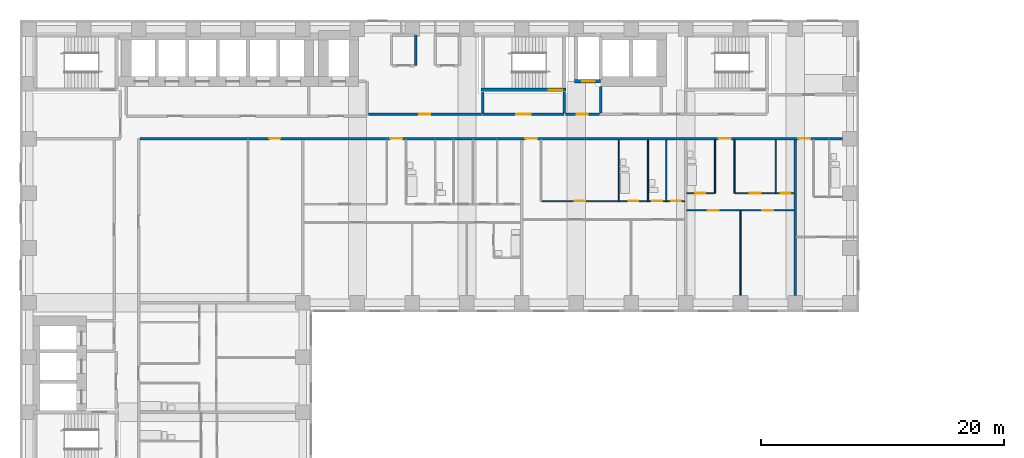
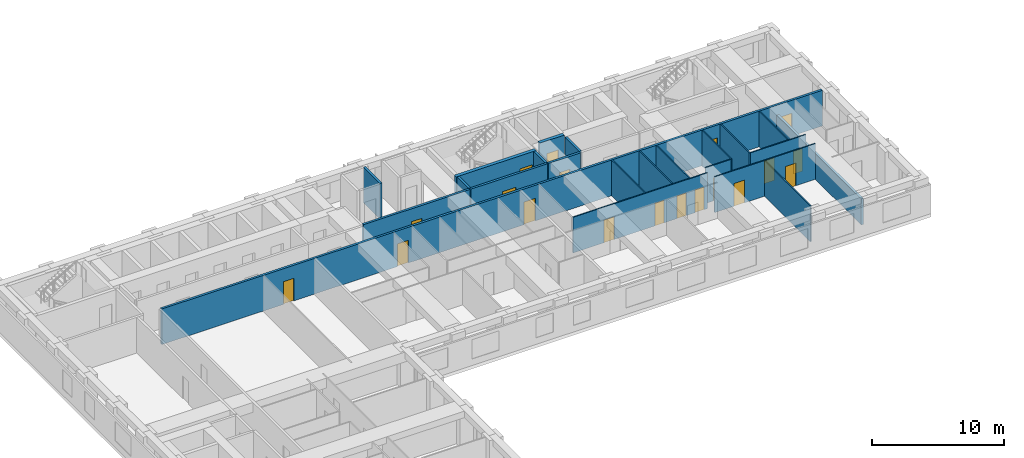
# One storey, part 9 of 14: 22 walls, 19 doors, 19 openings.
"""IFC4 building model written with IfcOpenShell, lengths in metres."""

from ifc_helpers import new_model, si_unit, direction, frame, frame_2d, origin, place, context, subcontext, project, spatial, rectangle, extrude, material, layer, layer_set, type_object, element, fill, save


model = new_model("IFC4")

# Units and contexts
model_context = context("Model", 3, precision=1e-05, world=origin(), true_north=direction((0.0, 1.0)))
body_context = subcontext(model_context, "Body", "Model", "MODEL_VIEW")
ifc_project = project(units=[si_unit("LENGTHUNIT", "METRE"), si_unit("AREAUNIT", "SQUARE_METRE"), si_unit("VOLUMEUNIT", "CUBIC_METRE"), si_unit("PLANEANGLEUNIT", "RADIAN"), si_unit("MASSUNIT", "GRAM", prefix="KILO")], contexts=[model_context])

# Site, building, storey
site_placement = place(None, origin())
site = spatial("IfcSite", under=ifc_project, at=site_placement, CompositionType="ELEMENT")
building_placement = place(site_placement, origin())
building = spatial("IfcBuilding", under=site, at=building_placement, Name="Firuza Court", CompositionType="ELEMENT")
storey_placement = place(building_placement, frame((0.0, 0.0, 32.60009765625)))
storey = spatial("IfcBuildingStorey", under=building, at=storey_placement, Name="L06", CompositionType="ELEMENT", Elevation=32.60009765625)

# Walls
ifc_material_1 = material(Name="Moisture-resistant gypsum board partition")
ifc_layer_1 = layer(ifc_material_1, 0.10009765625)
ifc_layer_set_1 = layer_set([ifc_layer_1], Name="Moisture-resistant gypsum board partition")
wall_type_1 = type_object("IfcWallType", Name="Bathroom partition 100", PredefinedType="PLUMBINGWALL", material=ifc_layer_set_1)
for number, where, z_axis, x_axis, name in (
    (1, (48.5, 44.39990234375, 0.0), (0.0, 0.0, 1.0), (0.0, 1.0, 0.0), "Bathroom partition 100 L06"),
    (2, (50.89990234375, 44.39990234375, 0.0), (0.0, 0.0, 1.0), (0.0, 1.0, 0.0), "Bathroom partition 100 L06"),
    (3, (52.39990234375, 44.39990234375, 0.0), (0.0, 0.0, 1.0), (0.0, 1.0, 0.0), "Bathroom partition 100 L06"),
):
    element("IfcWall", number, at=place(storey_placement, frame(where, z_axis=z_axis, x_axis=x_axis)), inside=storey, type_object=wall_type_1, Name=name, PredefinedType="PLUMBINGWALL", context=body_context, shape_type="SweptSolid", body=[
        extrude(rectangle(XDim=5.0, YDim=0.10009765625, at=frame_2d((2.5, 0.0))), origin(), (0.0, 0.0, 1.0), 3.2998046875),
    ])
wall_1_placement = place(storey_placement, frame((56.39990234375, 45.0, 0.0), z_axis=(0.0, 0.0, 1.0), x_axis=(0.0, 1.0, 0.0)))
element("IfcWall", 4, at=wall_1_placement, inside=storey, type_object=wall_type_1, Name="Bathroom partition 100 L06", PredefinedType="PLUMBINGWALL", context=body_context, shape_type="SweptSolid", body=[
    extrude(rectangle(XDim=4.39990234375, YDim=0.10009765625, at=frame_2d((2.199951171875, 0.0))), origin(), (0.0, 0.0, 1.0), 3.2998046875),
])

# Wall, opening, door
ifc_material_2 = material(Name="Concrete C60/75", Category="concrete")
ifc_layer_2 = layer(ifc_material_2, 0.300048828125)
ifc_layer_set_2 = layer_set([ifc_layer_2], Name="Concrete C60/75")
wall_type_2 = type_object("IfcWallType", Name="Core wall 300 C60/75", PredefinedType="SHEAR", material=ifc_layer_set_2)
wall_2_placement = place(storey_placement, frame((37.14990234375, 53.5, -0.300048828125), z_axis=(0.0, 0.0, 1.0), x_axis=(1.0, 0.0, 0.0)))
wall_2 = element("IfcWall", 5, at=wall_2_placement, inside=storey, type_object=wall_type_2, Name="Core wall stair L06", PredefinedType="SHEAR", context=body_context, shape_type="SweptSolid", body=[
    extrude(rectangle(XDim=7.0, YDim=0.300048828125, at=frame_2d((3.5, 0.0))), origin(), (0.0, 0.0, 1.0), 3.599853515625),
])
opening_1_placement = place(wall_2_placement, frame((5.580078125, 0.0, 0.300048828125)))
opening_1 = element("IfcOpeningElement", 6, at=opening_1_placement, cuts=wall_2, Name="Opening D06013", PredefinedType="OPENING", context=body_context, shape_type="SweptSolid", body=[
    extrude(rectangle(XDim=1.10009765625, YDim=2.10009765625, at=frame_2d((0.550048828125, 1.050048828125))), frame((0.0, 0.162109375, 0.0), z_axis=(0.0, -1.0, 0.0), x_axis=(1.0, 0.0, 0.0)), (0.0, 0.0, 1.0), 0.323974609375),
])
ifc_material_3 = material(Name="Timber door leaf in hardwood frame", Category="wood")
door_type_1 = type_object("IfcDoorType", Name="Stair door 1100", OperationType="SINGLE_SWING_LEFT", PredefinedType="DOOR", material=ifc_material_3)
door_1_placement = place(opening_1_placement, origin())
door_1 = element("IfcDoor", 7, at=door_1_placement, inside=storey, type_object=door_type_1, Name="Stair door S1", OperationType="SINGLE_SWING_RIGHT", OverallHeight=2.10009765625, OverallWidth=1.10009765625, PredefinedType="DOOR", context=body_context, shape_type="SweptSolid", body=[
    extrude(rectangle(XDim=1.10009765625, YDim=2.10009765625, at=frame_2d((0.550048828125, 1.050048828125))), frame((0.0, 0.02490234375, 0.0), z_axis=(0.0, -1.0, 0.0), x_axis=(1.0, 0.0, 0.0)), (0.0, 0.0, 1.0), 0.050048828125),
])
fill(opening_1, door_1)

wall_3_placement = place(storey_placement, frame((44.85009765625, 54.199951171875, -0.300048828125), z_axis=(0.0, 0.0, 1.0), x_axis=(1.0, 0.0, 0.0)))
wall_3 = element("IfcWall", 8, at=wall_3_placement, inside=storey, type_object=wall_type_2, Name="Core wall riser L06", PredefinedType="SHEAR", context=body_context, shape_type="SweptSolid", body=[
    extrude(rectangle(XDim=2.14990234375, YDim=0.300048828125, at=frame_2d((1.074951171875, 0.0))), origin(), (0.0, 0.0, 1.0), 3.599853515625),
])
opening_2_placement = place(wall_3_placement, frame((0.64990234375, 0.0, 0.300048828125)))
opening_2 = element("IfcOpeningElement", 9, at=opening_2_placement, cuts=wall_3, Name="Opening D06011", PredefinedType="OPENING", context=body_context, shape_type="SweptSolid", body=[
    extrude(rectangle(XDim=1.0, YDim=2.10009765625, at=frame_2d((0.5, 1.050048828125))), frame((0.0, 0.162109375, 0.0), z_axis=(0.0, -1.0, 0.0), x_axis=(1.0, 0.0, 0.0)), (0.0, 0.0, 1.0), 0.323974609375),
])
ifc_material_4 = material(Name="Timber door leaf in hardwood frame", Category="wood")
door_type_2 = type_object("IfcDoorType", Name="Riser door 1000", OperationType="SINGLE_SWING_LEFT", PredefinedType="DOOR", material=ifc_material_4)
door_2_placement = place(opening_2_placement, origin())
door_2 = element("IfcDoor", 10, at=door_2_placement, inside=storey, type_object=door_type_2, Name="Riser door R3", OperationType="SINGLE_SWING_LEFT", OverallHeight=2.10009765625, OverallWidth=1.0, PredefinedType="DOOR", context=body_context, shape_type="SweptSolid", body=[
    extrude(rectangle(XDim=1.0, YDim=2.10009765625, at=frame_2d((0.5, 1.050048828125))), frame((0.0, 0.02490234375, 0.0), z_axis=(0.0, -1.0, 0.0), x_axis=(1.0, 0.0, 0.0)), (0.0, 0.0, 1.0), 0.050048828125),
])
fill(opening_2, door_2)

# Wall, openings, doors
ifc_material_5 = material(Name="Blockwork, plastered both sides", Category="masonry")
ifc_layer_3 = layer(ifc_material_5, 0.199951171875)
ifc_layer_set_3 = layer_set([ifc_layer_3], Name="Blockwork, plastered both sides")
wall_type_3 = type_object("IfcWallType", Name="Corridor wall 200", PredefinedType="PARTITIONING", material=ifc_layer_set_3)
wall_4_placement = place(storey_placement, frame((9.10009765625, 49.5, 0.0), z_axis=(0.0, 0.0, 1.0), x_axis=(1.0, 0.0, 0.0)))
wall_4 = element("IfcWall", 11, at=wall_4_placement, inside=storey, type_object=wall_type_3, Name="Corridor wall 200 L06", PredefinedType="PARTITIONING", context=body_context, shape_type="SweptSolid", body=[
    extrude(rectangle(XDim=57.7998046875, YDim=0.199951171875, at=frame_2d((28.89990234375, 0.0))), origin(), (0.0, 0.0, 1.0), 3.2998046875),
])
opening_3_placement = place(wall_4_placement, frame((20.60009765625, 0.0, 0.0)))
opening_3 = element("IfcOpeningElement", 12, at=opening_3_placement, cuts=wall_4, Name="Opening D06066", PredefinedType="OPENING", context=body_context, shape_type="SweptSolid", body=[
    extrude(rectangle(XDim=1.0, YDim=2.10009765625, at=frame_2d((0.5, 1.050048828125))), frame((0.0, 0.11181640625, 0.0), z_axis=(0.0, -1.0, 0.0), x_axis=(1.0, 0.0, 0.0)), (0.0, 0.0, 1.0), 0.223876953125),
])
opening_4_placement = place(wall_4_placement, frame((31.699951171875, 0.0, 0.0)))
opening_4 = element("IfcOpeningElement", 13, at=opening_4_placement, cuts=wall_4, Name="Opening D06067", PredefinedType="OPENING", context=body_context, shape_type="SweptSolid", body=[
    extrude(rectangle(XDim=1.0, YDim=2.10009765625, at=frame_2d((0.5, 1.050048828125))), frame((0.0, 0.11181640625, 0.0), z_axis=(0.0, -1.0, 0.0), x_axis=(1.0, 0.0, 0.0)), (0.0, 0.0, 1.0), 0.223876953125),
])
opening_5_placement = place(wall_4_placement, frame((47.60009765625, 0.0, 0.0)))
opening_5 = element("IfcOpeningElement", 14, at=opening_5_placement, cuts=wall_4, Name="Opening D06068", PredefinedType="OPENING", context=body_context, shape_type="SweptSolid", body=[
    extrude(rectangle(XDim=1.0, YDim=2.10009765625, at=frame_2d((0.5, 1.050048828125))), frame((0.0, 0.11181640625, 0.0), z_axis=(0.0, -1.0, 0.0), x_axis=(1.0, 0.0, 0.0)), (0.0, 0.0, 1.0), 0.223876953125),
])
opening_6_placement = place(wall_4_placement, frame((54.14990234375, 0.0, 0.0)))
opening_6 = element("IfcOpeningElement", 15, at=opening_6_placement, cuts=wall_4, Name="Opening D06069", PredefinedType="OPENING", context=body_context, shape_type="SweptSolid", body=[
    extrude(rectangle(XDim=1.0, YDim=2.10009765625, at=frame_2d((0.5, 1.050048828125))), frame((0.0, 0.11181640625, 0.0), z_axis=(0.0, -1.0, 0.0), x_axis=(1.0, 0.0, 0.0)), (0.0, 0.0, 1.0), 0.223876953125),
])
opening_7_placement = place(wall_4_placement, frame((10.64990234375, 0.0, 0.0)))
opening_7 = element("IfcOpeningElement", 16, at=opening_7_placement, cuts=wall_4, Name="Opening D06070", PredefinedType="OPENING", context=body_context, shape_type="SweptSolid", body=[
    extrude(rectangle(XDim=0.89990234375, YDim=2.10009765625, at=frame_2d((0.449951171875, 1.050048828125))), frame((0.0, 0.11181640625, 0.0), z_axis=(0.0, -1.0, 0.0), x_axis=(1.0, 0.0, 0.0)), (0.0, 0.0, 1.0), 0.223876953125),
])
ifc_material_6 = material(Name="Timber door leaf in hardwood frame", Category="wood")
door_type_3 = type_object("IfcDoorType", Name="Flat entrance door 1000", OperationType="SINGLE_SWING_LEFT", PredefinedType="DOOR", material=ifc_material_6)
door_3_placement = place(opening_3_placement, origin())
door_3 = element("IfcDoor", 17, at=door_3_placement, inside=storey, type_object=door_type_3, Name="Flat entrance door", OperationType="SINGLE_SWING_LEFT", OverallHeight=2.10009765625, OverallWidth=1.0, PredefinedType="DOOR", context=body_context, shape_type="SweptSolid", body=[
    extrude(rectangle(XDim=1.0, YDim=2.10009765625, at=frame_2d((0.5, 1.050048828125))), frame((0.0, 0.02490234375, 0.0), z_axis=(0.0, -1.0, 0.0), x_axis=(1.0, 0.0, 0.0)), (0.0, 0.0, 1.0), 0.050048828125),
])
fill(opening_3, door_3)
door_4_placement = place(opening_4_placement, origin())
door_4 = element("IfcDoor", 18, at=door_4_placement, inside=storey, type_object=door_type_3, Name="Flat entrance door", OperationType="SINGLE_SWING_LEFT", OverallHeight=2.10009765625, OverallWidth=1.0, PredefinedType="DOOR", context=body_context, shape_type="SweptSolid", body=[
    extrude(rectangle(XDim=1.0, YDim=2.10009765625, at=frame_2d((0.5, 1.050048828125))), frame((0.0, 0.02490234375, 0.0), z_axis=(0.0, -1.0, 0.0), x_axis=(1.0, 0.0, 0.0)), (0.0, 0.0, 1.0), 0.050048828125),
])
fill(opening_4, door_4)
door_5_placement = place(opening_5_placement, origin())
door_5 = element("IfcDoor", 19, at=door_5_placement, inside=storey, type_object=door_type_3, Name="Flat entrance door", OperationType="SINGLE_SWING_LEFT", OverallHeight=2.10009765625, OverallWidth=1.0, PredefinedType="DOOR", context=body_context, shape_type="SweptSolid", body=[
    extrude(rectangle(XDim=1.0, YDim=2.10009765625, at=frame_2d((0.5, 1.050048828125))), frame((0.0, 0.02490234375, 0.0), z_axis=(0.0, -1.0, 0.0), x_axis=(1.0, 0.0, 0.0)), (0.0, 0.0, 1.0), 0.050048828125),
])
fill(opening_5, door_5)
door_6_placement = place(opening_6_placement, origin())
door_6 = element("IfcDoor", 20, at=door_6_placement, inside=storey, type_object=door_type_3, Name="Flat entrance door", OperationType="SINGLE_SWING_RIGHT", OverallHeight=2.10009765625, OverallWidth=1.0, PredefinedType="DOOR", context=body_context, shape_type="SweptSolid", body=[
    extrude(rectangle(XDim=1.0, YDim=2.10009765625, at=frame_2d((0.5, 1.050048828125))), frame((0.0, 0.02490234375, 0.0), z_axis=(0.0, -1.0, 0.0), x_axis=(1.0, 0.0, 0.0)), (0.0, 0.0, 1.0), 0.050048828125),
])
fill(opening_6, door_6)
ifc_material_7 = material(Name="Timber door leaf in hardwood frame", Category="wood")
door_type_4 = type_object("IfcDoorType", Name="Room door 900 EI 30", OperationType="SINGLE_SWING_LEFT", PredefinedType="DOOR", material=ifc_material_7)
door_7_placement = place(opening_7_placement, frame((0.89990234375, 0.0, 0.0), z_axis=(0.0, 0.0, 1.0), x_axis=(-1.0, 0.0, 0.0)))
door_7 = element("IfcDoor", 21, at=door_7_placement, inside=storey, type_object=door_type_4, Name="Library door", OperationType="SINGLE_SWING_RIGHT", OverallHeight=2.10009765625, OverallWidth=0.89990234375, PredefinedType="DOOR", context=body_context, shape_type="SweptSolid", body=[
    extrude(rectangle(XDim=0.89990234375, YDim=2.10009765625, at=frame_2d((0.449951171875, 1.050048828125))), frame((0.0, 0.02490234375, 0.0), z_axis=(0.0, -1.0, 0.0), x_axis=(1.0, 0.0, 0.0)), (0.0, 0.0, 1.0), 0.050048828125),
])
fill(opening_7, door_7)

# Wall, opening, door
wall_5_placement = place(storey_placement, frame((27.89990234375, 51.5, 0.0), z_axis=(0.0, 0.0, 1.0), x_axis=(1.0, 0.0, 0.0)))
wall_5 = element("IfcWall", 22, at=wall_5_placement, inside=storey, type_object=wall_type_3, Name="Corridor wall 200 L06", PredefinedType="PARTITIONING", context=body_context, shape_type="SweptSolid", body=[
    extrude(rectangle(XDim=9.300048828125, YDim=0.199951171875, at=frame_2d((4.64990234375, 0.0))), origin(), (0.0, 0.0, 1.0), 3.2998046875),
])
opening_8_placement = place(wall_5_placement, frame((4.199951171875, 0.0, 0.0)))
opening_8 = element("IfcOpeningElement", 23, at=opening_8_placement, cuts=wall_5, Name="Opening D06071", PredefinedType="OPENING", context=body_context, shape_type="SweptSolid", body=[
    extrude(rectangle(XDim=0.89990234375, YDim=2.10009765625, at=frame_2d((0.449951171875, 1.050048828125))), frame((0.0, 0.11181640625, 0.0), z_axis=(0.0, -1.0, 0.0), x_axis=(1.0, 0.0, 0.0)), (0.0, 0.0, 1.0), 0.223876953125),
])
door_8_placement = place(opening_8_placement, origin())
door_8 = element("IfcDoor", 24, at=door_8_placement, inside=storey, type_object=door_type_4, Name="Meeting room door", OperationType="SINGLE_SWING_LEFT", OverallHeight=2.10009765625, OverallWidth=0.89990234375, PredefinedType="DOOR", context=body_context, shape_type="SweptSolid", body=[
    extrude(rectangle(XDim=0.89990234375, YDim=2.10009765625, at=frame_2d((0.449951171875, 1.050048828125))), frame((0.0, 0.02490234375, 0.0), z_axis=(0.0, -1.0, 0.0), x_axis=(1.0, 0.0, 0.0)), (0.0, 0.0, 1.0), 0.050048828125),
])
fill(opening_8, door_8)

wall_6_placement = place(storey_placement, frame((44.10009765625, 51.5, 0.0), z_axis=(0.0, 0.0, 1.0), x_axis=(1.0, 0.0, 0.0)))
wall_6 = element("IfcWall", 25, at=wall_6_placement, inside=storey, type_object=wall_type_3, Name="Corridor wall 200 L06", PredefinedType="PARTITIONING", context=body_context, shape_type="SweptSolid", body=[
    extrude(rectangle(XDim=2.7998046875, YDim=0.199951171875, at=frame_2d((1.39990234375, 0.0))), origin(), (0.0, 0.0, 1.0), 3.2998046875),
])
opening_9_placement = place(wall_6_placement, frame((0.949951171875, 0.0, 0.0)))
opening_9 = element("IfcOpeningElement", 26, at=opening_9_placement, cuts=wall_6, Name="Opening D06072", PredefinedType="OPENING", context=body_context, shape_type="SweptSolid", body=[
    extrude(rectangle(XDim=0.89990234375, YDim=2.10009765625, at=frame_2d((0.449951171875, 1.050048828125))), frame((0.0, 0.11181640625, 0.0), z_axis=(0.0, -1.0, 0.0), x_axis=(1.0, 0.0, 0.0)), (0.0, 0.0, 1.0), 0.223876953125),
])
door_9_placement = place(opening_9_placement, origin())
door_9 = element("IfcDoor", 27, at=door_9_placement, inside=storey, type_object=door_type_4, Name="Staff pantry door", OperationType="SINGLE_SWING_LEFT", OverallHeight=2.10009765625, OverallWidth=0.89990234375, PredefinedType="DOOR", context=body_context, shape_type="SweptSolid", body=[
    extrude(rectangle(XDim=0.89990234375, YDim=2.10009765625, at=frame_2d((0.449951171875, 1.050048828125))), frame((0.0, 0.02490234375, 0.0), z_axis=(0.0, -1.0, 0.0), x_axis=(1.0, 0.0, 0.0)), (0.0, 0.0, 1.0), 0.050048828125),
])
fill(opening_9, door_9)

# Wall
ifc_material_8 = material(Name="Timber stud partition, plasterboard both sides", Category="wood")
ifc_layer_4 = layer(ifc_material_8, 0.10009765625)
ifc_layer_set_4 = layer_set([ifc_layer_4], Name="Timber stud partition, plasterboard both sides")
wall_type_4 = type_object("IfcWallType", Name="Partition wall 100", PredefinedType="PARTITIONING", material=ifc_layer_set_4)
wall_7_placement = place(storey_placement, frame((58.5, 36.60009765625, 0.0), z_axis=(0.0, 0.0, 1.0), x_axis=(0.0, 1.0, 0.0)))
element("IfcWall", 28, at=wall_7_placement, inside=storey, type_object=wall_type_4, Name="Partition wall 100 L06", PredefinedType="PARTITIONING", context=body_context, shape_type="SweptSolid", body=[
    extrude(rectangle(XDim=6.949951171875, YDim=0.10009765625, at=frame_2d((3.47509765625, 0.0))), origin(), (0.0, 0.0, 1.0), 3.2998046875),
])

# Wall, openings, doors
wall_8_placement = place(storey_placement, frame((54.10009765625, 43.60009765625, 0.0), z_axis=(0.0, 0.0, 1.0), x_axis=(1.0, 0.0, 0.0)))
wall_8 = element("IfcWall", 29, at=wall_8_placement, inside=storey, type_object=wall_type_4, Name="Partition wall 100 L06", PredefinedType="PARTITIONING", context=body_context, shape_type="SweptSolid", body=[
    extrude(rectangle(XDim=8.7998046875, YDim=0.10009765625, at=frame_2d((4.39990234375, 0.0))), origin(), (0.0, 0.0, 1.0), 3.2998046875),
])
opening_10_placement = place(wall_8_placement, frame((1.699951171875, 0.0, 0.0)))
opening_10 = element("IfcOpeningElement", 30, at=opening_10_placement, cuts=wall_8, Name="Opening D06049", PredefinedType="OPENING", context=body_context, shape_type="SweptSolid", body=[
    extrude(rectangle(XDim=0.89990234375, YDim=2.10009765625, at=frame_2d((0.449951171875, 1.050048828125))), frame((0.0, 0.06201171875, 0.0), z_axis=(0.0, -1.0, 0.0), x_axis=(1.0, 0.0, 0.0)), (0.0, 0.0, 1.0), 0.1240234375),
])
opening_11_placement = place(wall_8_placement, frame((6.199951171875, 0.0, 0.0)))
opening_11 = element("IfcOpeningElement", 31, at=opening_11_placement, cuts=wall_8, Name="Opening D06050", PredefinedType="OPENING", context=body_context, shape_type="SweptSolid", body=[
    extrude(rectangle(XDim=0.89990234375, YDim=2.10009765625, at=frame_2d((0.449951171875, 1.050048828125))), frame((0.0, 0.06201171875, 0.0), z_axis=(0.0, -1.0, 0.0), x_axis=(1.0, 0.0, 0.0)), (0.0, 0.0, 1.0), 0.1240234375),
])
ifc_material_9 = material(Name="Timber door leaf in hardwood frame", Category="wood")
door_type_5 = type_object("IfcDoorType", Name="Room door 900", OperationType="SINGLE_SWING_LEFT", PredefinedType="DOOR", material=ifc_material_9)
door_10_placement = place(opening_10_placement, frame((0.89990234375, 0.0, 0.0), z_axis=(0.0, 0.0, 1.0), x_axis=(-1.0, 0.0, 0.0)))
door_10 = element("IfcDoor", 32, at=door_10_placement, inside=storey, type_object=door_type_5, Name="Bedroom door", OperationType="SINGLE_SWING_RIGHT", OverallHeight=2.10009765625, OverallWidth=0.89990234375, PredefinedType="DOOR", context=body_context, shape_type="SweptSolid", body=[
    extrude(rectangle(XDim=0.89990234375, YDim=2.10009765625, at=frame_2d((0.449951171875, 1.050048828125))), frame((0.0, 0.02490234375, 0.0), z_axis=(0.0, -1.0, 0.0), x_axis=(1.0, 0.0, 0.0)), (0.0, 0.0, 1.0), 0.050048828125),
])
fill(opening_10, door_10)
door_11_placement = place(opening_11_placement, frame((0.89990234375, 0.0, 0.0), z_axis=(0.0, 0.0, 1.0), x_axis=(-1.0, 0.0, 0.0)))
door_11 = element("IfcDoor", 33, at=door_11_placement, inside=storey, type_object=door_type_5, Name="Living room door", OperationType="SINGLE_SWING_RIGHT", OverallHeight=2.10009765625, OverallWidth=0.89990234375, PredefinedType="DOOR", context=body_context, shape_type="SweptSolid", body=[
    extrude(rectangle(XDim=0.89990234375, YDim=2.10009765625, at=frame_2d((0.449951171875, 1.050048828125))), frame((0.0, 0.02490234375, 0.0), z_axis=(0.0, -1.0, 0.0), x_axis=(1.0, 0.0, 0.0)), (0.0, 0.0, 1.0), 0.050048828125),
])
fill(opening_11, door_11)

wall_9_placement = place(storey_placement, frame((42.14990234375, 44.35009765625, 0.0), z_axis=(0.0, 0.0, 1.0), x_axis=(1.0, 0.0, 0.0)))
wall_9 = element("IfcWall", 34, at=wall_9_placement, inside=storey, type_object=wall_type_4, Name="Partition wall 100 L06", PredefinedType="PARTITIONING", context=body_context, shape_type="SweptSolid", body=[
    extrude(rectangle(XDim=11.75, YDim=0.10009765625, at=frame_2d((5.875, 0.0))), origin(), (0.0, 0.0, 1.0), 3.2998046875),
])
opening_12_placement = place(wall_9_placement, frame((7.14990234375, 0.0, 0.0)))
opening_12 = element("IfcOpeningElement", 35, at=opening_12_placement, cuts=wall_9, Name="Opening D06057", PredefinedType="OPENING", context=body_context, shape_type="SweptSolid", body=[
    extrude(rectangle(XDim=0.800048828125, YDim=2.10009765625, at=frame_2d((0.39990234375, 1.050048828125))), frame((0.0, 0.06201171875, 0.0), z_axis=(0.0, -1.0, 0.0), x_axis=(1.0, 0.0, 0.0)), (0.0, 0.0, 1.0), 0.1240234375),
])
opening_13_placement = place(wall_9_placement, frame((2.699951171875, 0.0, 0.0)))
opening_13 = element("IfcOpeningElement", 36, at=opening_13_placement, cuts=wall_9, Name="Opening D06058", PredefinedType="OPENING", context=body_context, shape_type="SweptSolid", body=[
    extrude(rectangle(XDim=0.89990234375, YDim=2.10009765625, at=frame_2d((0.449951171875, 1.050048828125))), frame((0.0, 0.06201171875, 0.0), z_axis=(0.0, -1.0, 0.0), x_axis=(1.0, 0.0, 0.0)), (0.0, 0.0, 1.0), 0.1240234375),
])
opening_14_placement = place(wall_9_placement, frame((10.64990234375, 0.0, 0.0)))
opening_14 = element("IfcOpeningElement", 37, at=opening_14_placement, cuts=wall_9, Name="Opening D06059", PredefinedType="OPENING", context=body_context, shape_type="SweptSolid", body=[
    extrude(rectangle(XDim=0.800048828125, YDim=2.10009765625, at=frame_2d((0.39990234375, 1.050048828125))), frame((0.0, 0.06201171875, 0.0), z_axis=(0.0, -1.0, 0.0), x_axis=(1.0, 0.0, 0.0)), (0.0, 0.0, 1.0), 0.1240234375),
])
opening_15_placement = place(wall_9_placement, frame((9.10009765625, 0.0, 0.0)))
opening_15 = element("IfcOpeningElement", 38, at=opening_15_placement, cuts=wall_9, Name="Opening D06060", PredefinedType="OPENING", context=body_context, shape_type="SweptSolid", body=[
    extrude(rectangle(XDim=0.800048828125, YDim=2.10009765625, at=frame_2d((0.39990234375, 1.050048828125))), frame((0.0, 0.06201171875, 0.0), z_axis=(0.0, -1.0, 0.0), x_axis=(1.0, 0.0, 0.0)), (0.0, 0.0, 1.0), 0.1240234375),
])
ifc_material_10 = material(Name="Timber door leaf in hardwood frame", Category="wood")
door_type_6 = type_object("IfcDoorType", Name="Bathroom door 800", OperationType="SINGLE_SWING_LEFT", PredefinedType="DOOR", material=ifc_material_10)
door_12_placement = place(opening_12_placement, origin())
door_12 = element("IfcDoor", 39, at=door_12_placement, inside=storey, type_object=door_type_6, Name="Bathroom door", OperationType="SINGLE_SWING_LEFT", OverallHeight=2.10009765625, OverallWidth=0.800048828125, PredefinedType="DOOR", context=body_context, shape_type="SweptSolid", body=[
    extrude(rectangle(XDim=0.800048828125, YDim=2.10009765625, at=frame_2d((0.39990234375, 1.050048828125))), frame((0.0, 0.02490234375, 0.0), z_axis=(0.0, -1.0, 0.0), x_axis=(1.0, 0.0, 0.0)), (0.0, 0.0, 1.0), 0.050048828125),
])
fill(opening_12, door_12)
door_13_placement = place(opening_15_placement, origin())
door_13 = element("IfcDoor", 40, at=door_13_placement, inside=storey, type_object=door_type_6, Name="Powder room door", OperationType="SINGLE_SWING_LEFT", OverallHeight=2.10009765625, OverallWidth=0.800048828125, PredefinedType="DOOR", context=body_context, shape_type="SweptSolid", body=[
    extrude(rectangle(XDim=0.800048828125, YDim=2.10009765625, at=frame_2d((0.39990234375, 1.050048828125))), frame((0.0, 0.02490234375, 0.0), z_axis=(0.0, -1.0, 0.0), x_axis=(1.0, 0.0, 0.0)), (0.0, 0.0, 1.0), 0.050048828125),
])
fill(opening_15, door_13)
ifc_material_11 = material(Name="Timber door leaf in hardwood frame", Category="wood")
door_type_7 = type_object("IfcDoorType", Name="Room door 800", OperationType="SINGLE_SWING_LEFT", PredefinedType="DOOR", material=ifc_material_11)
door_14_placement = place(opening_14_placement, origin())
door_14 = element("IfcDoor", 41, at=door_14_placement, inside=storey, type_object=door_type_7, Name="Store door", OperationType="SINGLE_SWING_LEFT", OverallHeight=2.10009765625, OverallWidth=0.800048828125, PredefinedType="DOOR", context=body_context, shape_type="SweptSolid", body=[
    extrude(rectangle(XDim=0.800048828125, YDim=2.10009765625, at=frame_2d((0.39990234375, 1.050048828125))), frame((0.0, 0.02490234375, 0.0), z_axis=(0.0, -1.0, 0.0), x_axis=(1.0, 0.0, 0.0)), (0.0, 0.0, 1.0), 0.050048828125),
])
fill(opening_14, door_14)
door_15_placement = place(opening_13_placement, origin())
door_15 = element("IfcDoor", 42, at=door_15_placement, inside=storey, type_object=door_type_5, Name="Kitchen door", OperationType="SINGLE_SWING_LEFT", OverallHeight=2.10009765625, OverallWidth=0.89990234375, PredefinedType="DOOR", context=body_context, shape_type="SweptSolid", body=[
    extrude(rectangle(XDim=0.89990234375, YDim=2.10009765625, at=frame_2d((0.449951171875, 1.050048828125))), frame((0.0, 0.02490234375, 0.0), z_axis=(0.0, -1.0, 0.0), x_axis=(1.0, 0.0, 0.0)), (0.0, 0.0, 1.0), 0.050048828125),
])
fill(opening_13, door_15)

# Wall, opening, door
wall_10_placement = place(storey_placement, frame((54.10009765625, 45.0, 0.0), z_axis=(0.0, 0.0, 1.0), x_axis=(1.0, 0.0, 0.0)))
wall_10 = element("IfcWall", 43, at=wall_10_placement, inside=storey, type_object=wall_type_4, Name="Partition wall 100 L06", PredefinedType="PARTITIONING", context=body_context, shape_type="SweptSolid", body=[
    extrude(rectangle(XDim=2.25, YDim=0.10009765625, at=frame_2d((1.125, 0.0))), origin(), (0.0, 0.0, 1.0), 3.2998046875),
])
opening_16_placement = place(wall_10_placement, frame((0.699951171875, 0.0, 0.0)))
opening_16 = element("IfcOpeningElement", 44, at=opening_16_placement, cuts=wall_10, Name="Opening D06063", PredefinedType="OPENING", context=body_context, shape_type="SweptSolid", body=[
    extrude(rectangle(XDim=0.800048828125, YDim=2.10009765625, at=frame_2d((0.39990234375, 1.050048828125))), frame((0.0, 0.06201171875, 0.0), z_axis=(0.0, -1.0, 0.0), x_axis=(1.0, 0.0, 0.0)), (0.0, 0.0, 1.0), 0.1240234375),
])
door_16_placement = place(opening_16_placement, origin())
door_16 = element("IfcDoor", 45, at=door_16_placement, inside=storey, type_object=door_type_6, Name="Bathroom door", OperationType="SINGLE_SWING_LEFT", OverallHeight=2.10009765625, OverallWidth=0.800048828125, PredefinedType="DOOR", context=body_context, shape_type="SweptSolid", body=[
    extrude(rectangle(XDim=0.800048828125, YDim=2.10009765625, at=frame_2d((0.39990234375, 1.050048828125))), frame((0.0, 0.02490234375, 0.0), z_axis=(0.0, -1.0, 0.0), x_axis=(1.0, 0.0, 0.0)), (0.0, 0.0, 1.0), 0.050048828125),
])
fill(opening_16, door_16)

# Wall
wall_11_placement = place(storey_placement, frame((58.0, 45.0, 0.0), z_axis=(0.0, 0.0, 1.0), x_axis=(0.0, 1.0, 0.0)))
element("IfcWall", 46, at=wall_11_placement, inside=storey, type_object=wall_type_4, Name="Partition wall 100 L06", PredefinedType="PARTITIONING", context=body_context, shape_type="SweptSolid", body=[
    extrude(rectangle(XDim=4.39990234375, YDim=0.10009765625, at=frame_2d((2.199951171875, 0.0))), origin(), (0.0, 0.0, 1.0), 3.2998046875),
])

# Wall, openings, doors
wall_12_placement = place(storey_placement, frame((58.050048828125, 45.0, 0.0), z_axis=(0.0, 0.0, 1.0), x_axis=(1.0, 0.0, 0.0)))
wall_12 = element("IfcWall", 47, at=wall_12_placement, inside=storey, type_object=wall_type_4, Name="Partition wall 100 L06", PredefinedType="PARTITIONING", context=body_context, shape_type="SweptSolid", body=[
    extrude(rectangle(XDim=4.849853515625, YDim=0.10009765625, at=frame_2d((2.4248046875, 0.0))), origin(), (0.0, 0.0, 1.0), 3.2998046875),
])
opening_17_placement = place(wall_12_placement, frame((1.199951171875, 0.0, 0.0)))
opening_17 = element("IfcOpeningElement", 48, at=opening_17_placement, cuts=wall_12, Name="Opening D06064", PredefinedType="OPENING", context=body_context, shape_type="SweptSolid", body=[
    extrude(rectangle(XDim=0.89990234375, YDim=2.10009765625, at=frame_2d((0.449951171875, 1.050048828125))), frame((0.0, 0.06201171875, 0.0), z_axis=(0.0, -1.0, 0.0), x_axis=(1.0, 0.0, 0.0)), (0.0, 0.0, 1.0), 0.1240234375),
])
opening_18_placement = place(wall_12_placement, frame((3.75, 0.0, 0.0)))
opening_18 = element("IfcOpeningElement", 49, at=opening_18_placement, cuts=wall_12, Name="Opening D06065", PredefinedType="OPENING", context=body_context, shape_type="SweptSolid", body=[
    extrude(rectangle(XDim=0.800048828125, YDim=2.10009765625, at=frame_2d((0.39990234375, 1.050048828125))), frame((0.0, 0.06201171875, 0.0), z_axis=(0.0, -1.0, 0.0), x_axis=(1.0, 0.0, 0.0)), (0.0, 0.0, 1.0), 0.1240234375),
])
door_17_placement = place(opening_18_placement, origin())
door_17 = element("IfcDoor", 50, at=door_17_placement, inside=storey, type_object=door_type_7, Name="Store door", OperationType="SINGLE_SWING_LEFT", OverallHeight=2.10009765625, OverallWidth=0.800048828125, PredefinedType="DOOR", context=body_context, shape_type="SweptSolid", body=[
    extrude(rectangle(XDim=0.800048828125, YDim=2.10009765625, at=frame_2d((0.39990234375, 1.050048828125))), frame((0.0, 0.02490234375, 0.0), z_axis=(0.0, -1.0, 0.0), x_axis=(1.0, 0.0, 0.0)), (0.0, 0.0, 1.0), 0.050048828125),
])
fill(opening_18, door_17)
door_18_placement = place(opening_17_placement, origin())
door_18 = element("IfcDoor", 51, at=door_18_placement, inside=storey, type_object=door_type_5, Name="Kitchen door", OperationType="SINGLE_SWING_LEFT", OverallHeight=2.10009765625, OverallWidth=0.89990234375, PredefinedType="DOOR", context=body_context, shape_type="SweptSolid", body=[
    extrude(rectangle(XDim=0.89990234375, YDim=2.10009765625, at=frame_2d((0.449951171875, 1.050048828125))), frame((0.0, 0.02490234375, 0.0), z_axis=(0.0, -1.0, 0.0), x_axis=(1.0, 0.0, 0.0)), (0.0, 0.0, 1.0), 0.050048828125),
])
fill(opening_17, door_18)

# Walls
wall_13_placement = place(storey_placement, frame((61.39990234375, 45.050048828125, 0.0), z_axis=(0.0, 0.0, 1.0), x_axis=(0.0, 1.0, 0.0)))
element("IfcWall", 52, at=wall_13_placement, inside=storey, type_object=wall_type_4, Name="Partition wall 100 L06", PredefinedType="PARTITIONING", context=body_context, shape_type="SweptSolid", body=[
    extrude(rectangle(XDim=4.349853515625, YDim=0.10009765625, at=frame_2d((2.1748046875, 0.0))), origin(), (0.0, 0.0, 1.0), 3.2998046875),
])
ifc_layer_5 = layer(ifc_material_5, 0.199951171875)
ifc_layer_set_5 = layer_set([ifc_layer_5], Name="Blockwork, plastered both sides")
wall_type_5 = type_object("IfcWallType", Name="Party wall 200", PredefinedType="PARTITIONING", material=ifc_layer_set_5)
wall_14_placement = place(storey_placement, frame((63.0, 36.60009765625, 0.0), z_axis=(0.0, 0.0, 1.0), x_axis=(0.0, 1.0, 0.0)))
element("IfcWall", 53, at=wall_14_placement, inside=storey, type_object=wall_type_5, Name="Party wall 200 L06", PredefinedType="PARTITIONING", context=body_context, shape_type="SweptSolid", body=[
    extrude(rectangle(XDim=12.7998046875, YDim=0.199951171875, at=frame_2d((6.39990234375, 0.0))), origin(), (0.0, 0.0, 1.0), 2.39990234375),
])
ifc_material_12 = material(Name="Blockwork, fire-rated", Category="masonry")
ifc_layer_6 = layer(ifc_material_12, 0.199951171875)
ifc_layer_set_6 = layer_set([ifc_layer_6], Name="Blockwork, fire-rated")
wall_type_6 = type_object("IfcWallType", Name="Plant room wall 200", PredefinedType="PARTITIONING", material=ifc_layer_set_6)
wall_15_placement = place(storey_placement, frame((31.800048828125, 55.5, 0.0), z_axis=(0.0, 0.0, 1.0), x_axis=(0.0, 1.0, 0.0)))
element("IfcWall", 54, at=wall_15_placement, inside=storey, type_object=wall_type_6, Name="Plant room wall 200 L06", PredefinedType="PARTITIONING", context=body_context, shape_type="SweptSolid", body=[
    extrude(rectangle(XDim=2.5, YDim=0.199951171875, at=frame_2d((1.25, 0.0))), origin(), (0.0, 0.0, 1.0), 3.2998046875),
])
ifc_layer_7 = layer(ifc_material_12, 0.199951171875)
ifc_layer_set_7 = layer_set([ifc_layer_7], Name="Blockwork, fire-rated")
wall_type_7 = type_object("IfcWallType", Name="Shaft wall 200", PredefinedType="PARTITIONING", material=ifc_layer_set_7)
wall_16_placement = place(storey_placement, frame((47.0, 51.60009765625, 0.0), z_axis=(0.0, 0.0, 1.0), x_axis=(0.0, 1.0, 0.0)))
element("IfcWall", 55, at=wall_16_placement, inside=storey, type_object=wall_type_7, Name="Shaft wall 200 L06", PredefinedType="PARTITIONING", context=body_context, shape_type="SweptSolid", body=[
    extrude(rectangle(XDim=2.179931640625, YDim=0.199951171875, at=frame_2d((1.08984375, 0.0))), origin(), (0.0, 0.0, 1.0), 3.2998046875),
])

# Wall, opening, door
wall_17_placement = place(storey_placement, frame((37.300048828125, 51.5, 0.0), z_axis=(0.0, 0.0, 1.0), x_axis=(1.0, 0.0, 0.0)))
wall_17 = element("IfcWall", 56, at=wall_17_placement, inside=storey, type_object=wall_type_7, Name="Shaft wall 200 L06", PredefinedType="PARTITIONING", context=body_context, shape_type="SweptSolid", body=[
    extrude(rectangle(XDim=6.699951171875, YDim=0.199951171875, at=frame_2d((3.35009765625, 0.0))), origin(), (0.0, 0.0, 1.0), 3.2998046875),
])
opening_19_placement = place(wall_17_placement, frame((2.75, 0.0, 0.0)))
opening_19 = element("IfcOpeningElement", 57, at=opening_19_placement, cuts=wall_17, Name="Opening D06006", PredefinedType="OPENING", context=body_context, shape_type="SweptSolid", body=[
    extrude(rectangle(XDim=1.199951171875, YDim=2.10009765625, at=frame_2d((0.60009765625, 1.050048828125))), frame((0.0, 0.11181640625, 0.0), z_axis=(0.0, -1.0, 0.0), x_axis=(1.0, 0.0, 0.0)), (0.0, 0.0, 1.0), 0.223876953125),
])
ifc_material_13 = material(Name="Timber door leaf in hardwood frame", Category="wood")
door_type_8 = type_object("IfcDoorType", Name="Lobby door 1200", OperationType="SINGLE_SWING_LEFT", PredefinedType="DOOR", material=ifc_material_13)
door_19_placement = place(opening_19_placement, origin())
door_19 = element("IfcDoor", 58, at=door_19_placement, inside=storey, type_object=door_type_8, Name="Lobby door", OperationType="SINGLE_SWING_LEFT", OverallHeight=2.10009765625, OverallWidth=1.199951171875, PredefinedType="DOOR", context=body_context, shape_type="SweptSolid", body=[
    extrude(rectangle(XDim=1.199951171875, YDim=2.10009765625, at=frame_2d((0.60009765625, 1.050048828125))), frame((0.0, 0.02490234375, 0.0), z_axis=(0.0, -1.0, 0.0), x_axis=(1.0, 0.0, 0.0)), (0.0, 0.0, 1.0), 0.050048828125),
])
fill(opening_19, door_19)

# Walls
for number, where, z_axis, x_axis, name in (
    (59, (44.0, 51.60009765625, 0.0), (0.0, 0.0, 1.0), (0.0, 1.0, 0.0), "Shaft wall 200 L06"),
    (60, (37.300048828125, 51.60009765625, 0.0), (0.0, 0.0, 1.0), (0.0, 1.0, 0.0), "Shaft wall 200 L06"),
):
    element("IfcWall", number, at=place(storey_placement, frame(where, z_axis=z_axis, x_axis=x_axis)), inside=storey, type_object=wall_type_7, Name=name, PredefinedType="PARTITIONING", context=body_context, shape_type="SweptSolid", body=[
        extrude(rectangle(XDim=1.72998046875, YDim=0.199951171875, at=frame_2d((0.864990234375, 0.0))), origin(), (0.0, 0.0, 1.0), 3.2998046875),
    ])

save(model, "model.ifc")
